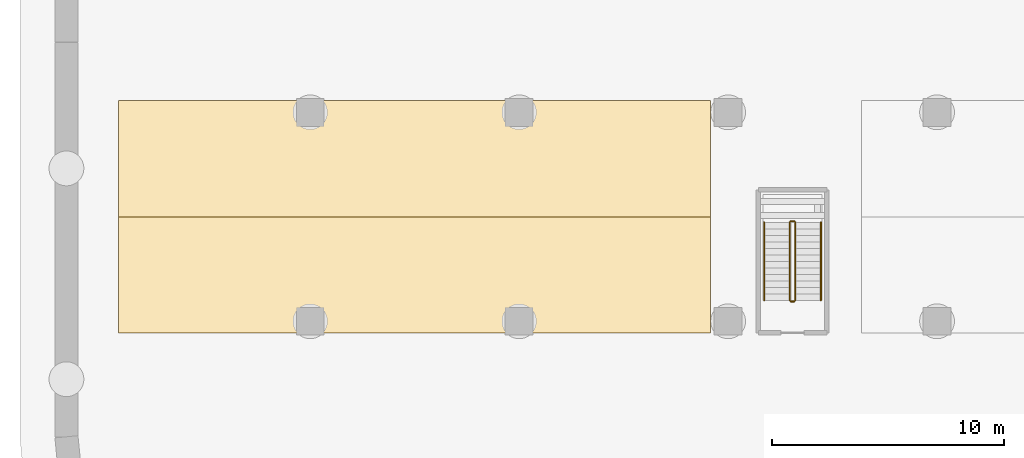
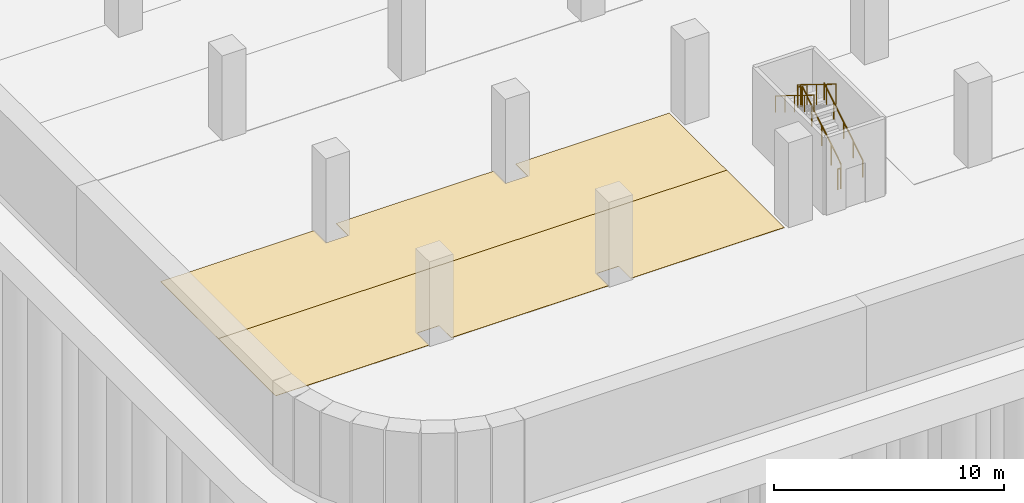
# One storey, part 25 of 39: 6 railings, 2 coverings.
"""IFC4 building model written with IfcOpenShell, lengths in metres."""

from ifc_helpers import new_model, si_unit, direction, frame, origin, origin_2d, place, context, subcontext, project, spatial, polyline, circle, outline, extrude, material, layer, layer_set, type_object, element, save


model = new_model("IFC4")

# Units and contexts
model_context = context("Model", 3, precision=1e-05, world=origin(), true_north=direction((0.0, 1.0)))
body_context = subcontext(model_context, "Body", "Model", "MODEL_VIEW")
ifc_project = project(units=[si_unit("LENGTHUNIT", "METRE"), si_unit("AREAUNIT", "SQUARE_METRE"), si_unit("VOLUMEUNIT", "CUBIC_METRE"), si_unit("PLANEANGLEUNIT", "RADIAN"), si_unit("MASSUNIT", "GRAM", prefix="KILO")], contexts=[model_context])

# Site, building, storey
site_placement = place(None, origin())
site = spatial("IfcSite", under=ifc_project, at=site_placement, CompositionType="ELEMENT")
building_placement = place(site_placement, origin())
building = spatial("IfcBuilding", under=site, at=building_placement, Name="Ogive Gate Towers", CompositionType="ELEMENT")
storey_placement = place(building_placement, frame((0.0, 0.0, -9.0)))
storey = spatial("IfcBuildingStorey", under=building, at=storey_placement, Name="B2", CompositionType="ELEMENT", Elevation=-9.0)

# Railings
ifc_material_1 = material(Name="Painted steel", Category="steel")
railing_type_1 = type_object("IfcRailingType", Name="Car park stair guard 1100", PredefinedType="GUARDRAIL", material=ifc_material_1)
railing_1_placement = place(storey_placement, frame((-96.10009765625, -62.10009765625, 0.173095703125)))
element("IfcRailing", 1, at=railing_1_placement, inside=storey, type_object=railing_type_1, Name="B2 CS5 stair guard 1", PredefinedType="GUARDRAIL", context=body_context, shape_type="SweptSolid", body=[
    extrude(circle(Radius=0.02392578125, at=origin_2d()), frame((0.0, 0.0, 1.076171875), z_axis=(0.0, 0.850623216509, 0.525775754039), x_axis=(-1.0, 0.0, 0.0)), (0.0, 0.0, 1.0), 3.9501953125),
    extrude(circle(Radius=0.02099609375, at=origin_2d()), origin(), (0.0, 0.0, 1.0), 1.052001953125),
    extrude(circle(Radius=0.02099609375, at=origin_2d()), frame((0.0, 0.840087890625, 0.519287109375)), (0.0, 0.0, 1.0), 1.052001953125),
    extrude(circle(Radius=0.02099609375, at=origin_2d()), frame((0.0, 1.68017578125, 1.03857421875)), (0.0, 0.0, 1.0), 1.052001953125),
    extrude(circle(Radius=0.02099609375, at=origin_2d()), frame((0.0, 2.52001953125, 1.5576171875)), (0.0, 0.0, 1.0), 1.052001953125),
    extrude(circle(Radius=0.02099609375, at=origin_2d()), frame((0.0, 3.360107421875, 2.076904296875)), (0.0, 0.0, 1.0), 1.052001953125),
])
railing_2_placement = place(storey_placement, frame((-96.14990234375, -58.68994140625, 2.25)))
element("IfcRailing", 2, at=railing_2_placement, inside=storey, type_object=railing_type_1, Name="B2 CS5 stair guard 2", PredefinedType="GUARDRAIL", context=body_context, shape_type="SweptSolid", body=[
    extrude(circle(Radius=0.02392578125, at=origin_2d()), frame((0.0, 0.0, 1.076171875), z_axis=(-1.0, 0.0, 0.0), x_axis=(0.0, -1.0, 0.0)), (0.0, 0.0, 1.0), 0.150146484375),
    extrude(circle(Radius=0.02099609375, at=origin_2d()), origin(), (0.0, 0.0, 1.0), 1.052001953125),
    extrude(circle(Radius=0.02099609375, at=origin_2d()), frame((-0.150146484375, 0.0, 0.0)), (0.0, 0.0, 1.0), 1.052001953125),
])
railing_3_placement = place(storey_placement, frame((-96.35009765625, -58.739990234375, 2.423095703125)))
element("IfcRailing", 3, at=railing_3_placement, inside=storey, type_object=railing_type_1, Name="B2 CS5 stair guard 3", PredefinedType="GUARDRAIL", context=body_context, shape_type="SweptSolid", body=[
    extrude(circle(Radius=0.02392578125, at=origin_2d()), frame((0.0, 0.0, 1.076171875), z_axis=(0.0, -0.850623216509, 0.525775754039), x_axis=(1.0, 0.0, 0.0)), (0.0, 0.0, 1.0), 3.9501953125),
    extrude(circle(Radius=0.02099609375, at=origin_2d()), origin(), (0.0, 0.0, 1.0), 1.052001953125),
    extrude(circle(Radius=0.02099609375, at=origin_2d()), frame((0.0, -0.840087890625, 0.519287109375)), (0.0, 0.0, 1.0), 1.052001953125),
    extrude(circle(Radius=0.02099609375, at=origin_2d()), frame((0.0, -1.68017578125, 1.03857421875)), (0.0, 0.0, 1.0), 1.052001953125),
    extrude(circle(Radius=0.02099609375, at=origin_2d()), frame((0.0, -2.52001953125, 1.5576171875)), (0.0, 0.0, 1.0), 1.052001953125),
    extrude(circle(Radius=0.02099609375, at=origin_2d()), frame((0.0, -3.360107421875, 2.076904296875)), (0.0, 0.0, 1.0), 1.052001953125),
])
railing_4_placement = place(storey_placement, frame((-96.14990234375, -62.14990234375, 0.0)))
element("IfcRailing", 4, at=railing_4_placement, inside=storey, type_object=railing_type_1, Name="B2 CS5 stair guard 4", PredefinedType="GUARDRAIL", context=body_context, shape_type="SweptSolid", body=[
    extrude(circle(Radius=0.02392578125, at=origin_2d()), frame((0.0, 0.0, 1.076171875), z_axis=(-1.0, 0.0, 0.0), x_axis=(0.0, -1.0, 0.0)), (0.0, 0.0, 1.0), 0.150146484375),
    extrude(circle(Radius=0.02099609375, at=origin_2d()), origin(), (0.0, 0.0, 1.0), 1.052001953125),
    extrude(circle(Radius=0.02099609375, at=origin_2d()), frame((-0.150146484375, 0.0, 0.0)), (0.0, 0.0, 1.0), 1.052001953125),
])
ifc_material_2 = material(Name="Stainless steel handrail", Category="steel")
railing_type_2 = type_object("IfcRailingType", Name="Car park stair handrail 900", PredefinedType="HANDRAIL", material=ifc_material_2)
railing_5_placement = place(storey_placement, frame((-95.0, -62.10009765625, 0.173095703125)))
element("IfcRailing", 5, at=railing_5_placement, inside=storey, type_object=railing_type_2, Name="B2 CS5 stair handrail 1", PredefinedType="HANDRAIL", context=body_context, shape_type="SweptSolid", body=[
    extrude(circle(Radius=0.02392578125, at=origin_2d()), frame((0.0, 0.0, 0.8759765625), z_axis=(0.0, 0.850623216509, 0.525775754039), x_axis=(-1.0, 0.0, 0.0)), (0.0, 0.0, 1.0), 3.9501953125),
    extrude(circle(Radius=0.02099609375, at=origin_2d()), origin(), (0.0, 0.0, 1.0), 0.851806640625),
    extrude(circle(Radius=0.02099609375, at=origin_2d()), frame((0.0, 0.840087890625, 0.519287109375)), (0.0, 0.0, 1.0), 0.851806640625),
    extrude(circle(Radius=0.02099609375, at=origin_2d()), frame((0.0, 1.68017578125, 1.03857421875)), (0.0, 0.0, 1.0), 0.851806640625),
    extrude(circle(Radius=0.02099609375, at=origin_2d()), frame((0.0, 2.52001953125, 1.5576171875)), (0.0, 0.0, 1.0), 0.851806640625),
    extrude(circle(Radius=0.02099609375, at=origin_2d()), frame((0.0, 3.360107421875, 2.076904296875)), (0.0, 0.0, 1.0), 0.851806640625),
])
railing_6_placement = place(storey_placement, frame((-97.449951171875, -58.739990234375, 2.423095703125)))
element("IfcRailing", 6, at=railing_6_placement, inside=storey, type_object=railing_type_2, Name="B2 CS5 stair handrail 2", PredefinedType="HANDRAIL", context=body_context, shape_type="SweptSolid", body=[
    extrude(circle(Radius=0.02392578125, at=origin_2d()), frame((0.0, 0.0, 0.8759765625), z_axis=(0.0, -0.850623216509, 0.525775754039), x_axis=(1.0, 0.0, 0.0)), (0.0, 0.0, 1.0), 3.9501953125),
    extrude(circle(Radius=0.02099609375, at=origin_2d()), origin(), (0.0, 0.0, 1.0), 0.851806640625),
    extrude(circle(Radius=0.02099609375, at=origin_2d()), frame((0.0, -0.840087890625, 0.519287109375)), (0.0, 0.0, 1.0), 0.851806640625),
    extrude(circle(Radius=0.02099609375, at=origin_2d()), frame((0.0, -1.68017578125, 1.03857421875)), (0.0, 0.0, 1.0), 0.851806640625),
    extrude(circle(Radius=0.02099609375, at=origin_2d()), frame((0.0, -2.52001953125, 1.5576171875)), (0.0, 0.0, 1.0), 0.851806640625),
    extrude(circle(Radius=0.02099609375, at=origin_2d()), frame((0.0, -3.360107421875, 2.076904296875)), (0.0, 0.0, 1.0), 0.851806640625),
])

# Coverings
ifc_material_3 = material(Name="Painted floor marking")
ifc_layer = layer(ifc_material_3, 0.02001953125)
ifc_layer_set = layer_set([ifc_layer], Name="Parking bay marking")
covering_type = type_object("IfcCoveringType", Name="Parking bay marking", PredefinedType="FLOORING", material=ifc_layer_set)
covering_1_placement = place(storey_placement, origin())
element("IfcCovering", 7, at=covering_1_placement, inside=storey, type_object=covering_type, Name="Parking bays B2-336 to B2-344", PredefinedType="FLOORING", context=body_context, shape_type="SweptSolid", body=[
    extrude(outline(polyline([(-99.75, -58.5), (-99.75, -63.5), (-107.449951171875, -63.5), (-107.449951171875, -62.449951171875), (-108.550048828125, -62.449951171875), (-108.550048828125, -63.5), (-116.449951171875, -63.5), (-116.449951171875, -62.449951171875), (-117.550048828125, -62.449951171875), (-117.550048828125, -63.5), (-125.25, -63.5), (-125.25, -58.5), (-99.75, -58.5)])), origin(), (0.0, 0.0, 1.0), 0.02001953125),
])
covering_2_placement = place(storey_placement, origin())
element("IfcCovering", 8, at=covering_2_placement, inside=storey, type_object=covering_type, Name="Parking bays B2-749 to B2-757", PredefinedType="FLOORING", context=body_context, shape_type="SweptSolid", body=[
    extrude(outline(polyline([(-117.550048828125, -53.5), (-117.550048828125, -54.550048828125), (-116.449951171875, -54.550048828125), (-116.449951171875, -53.5), (-108.550048828125, -53.5), (-108.550048828125, -54.550048828125), (-107.449951171875, -54.550048828125), (-107.449951171875, -53.5), (-99.75, -53.5), (-99.75, -58.5), (-125.25, -58.5), (-125.25, -53.5), (-117.550048828125, -53.5)])), origin(), (0.0, 0.0, 1.0), 0.02001953125),
])

save(model, "model.ifc")
